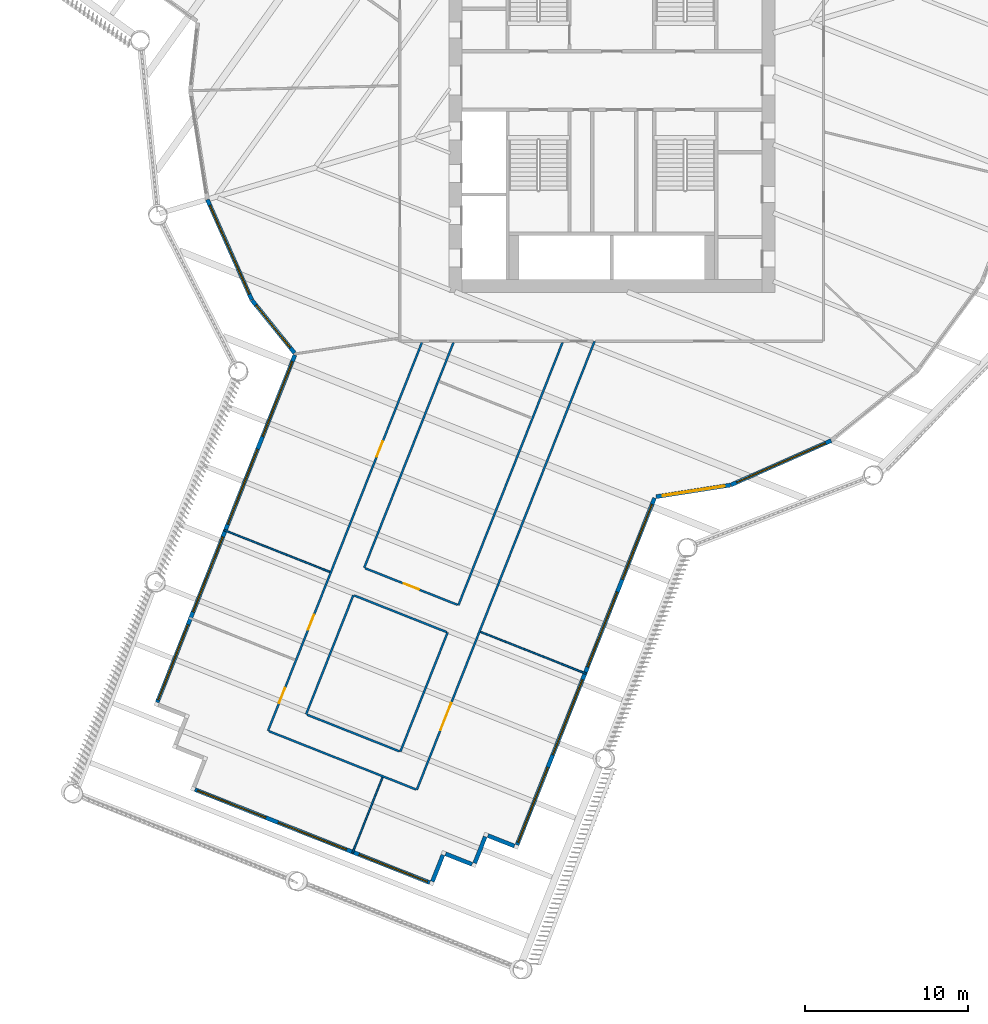
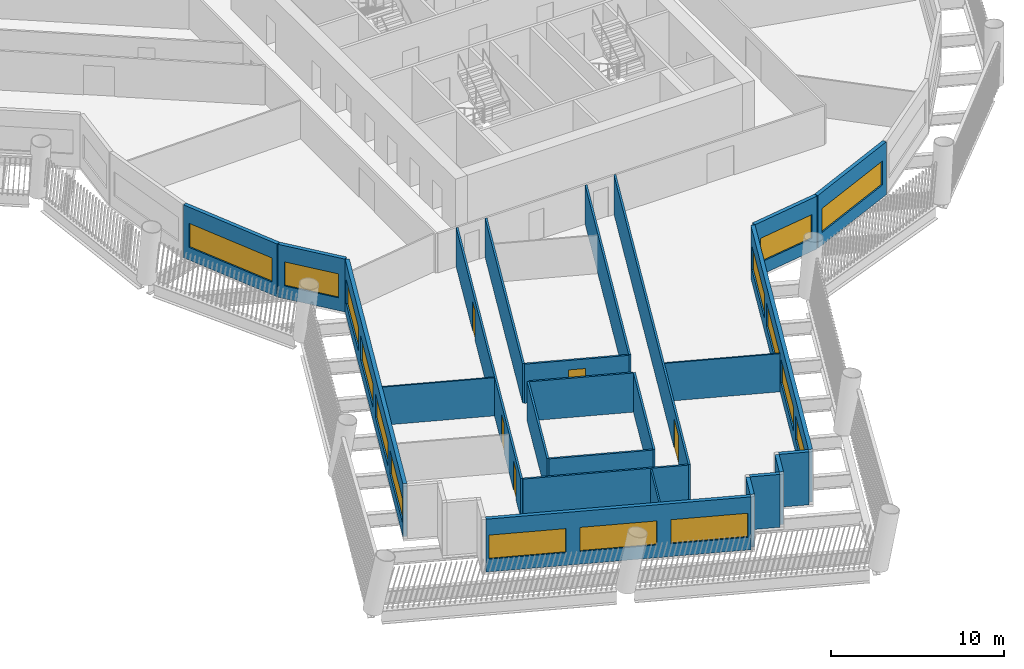
# One storey, part 3 of 17: 24 walls, 15 windows, 5 doors, 20 openings.
"""IFC4 building model written with IfcOpenShell, lengths in metres."""

from ifc_helpers import new_model, si_unit, direction, frame, frame_2d, origin, place, context, subcontext, project, spatial, rectangle, extrude, material, layer, layer_set, type_object, element, fill, save


model = new_model("IFC4")

# Units and contexts
model_context = context("Model", 3, precision=1e-05, world=origin(), true_north=direction((0.0, 1.0)))
body_context = subcontext(model_context, "Body", "Model", "MODEL_VIEW")
ifc_project = project(units=[si_unit("LENGTHUNIT", "METRE"), si_unit("AREAUNIT", "SQUARE_METRE"), si_unit("VOLUMEUNIT", "CUBIC_METRE"), si_unit("PLANEANGLEUNIT", "RADIAN"), si_unit("MASSUNIT", "GRAM", prefix="KILO")], contexts=[model_context])

# Site, building, storey
site_placement = place(None, origin())
site = spatial("IfcSite", under=ifc_project, at=site_placement, CompositionType="ELEMENT")
building_placement = place(site_placement, origin())
building = spatial("IfcBuilding", under=site, at=building_placement, Name="Tarsis Ring Headquarters", CompositionType="ELEMENT")
storey_placement = place(building_placement, frame((0.0, 0.0, 127.89990234375)))
storey = spatial("IfcBuildingStorey", under=building, at=storey_placement, Name="L29", CompositionType="ELEMENT", Elevation=127.89990234375)

# Walls
ifc_material_1 = material(Name="Gypsum board on steel studs", Category="steel")
ifc_layer_1 = layer(ifc_material_1, 0.10009765625)
ifc_layer_set_1 = layer_set([ifc_layer_1], Name="FL partition 100 unrated")
wall_type_1 = type_object("IfcWallType", Name="FL partition 100 unrated", PredefinedType="PARTITIONING", material=ifc_layer_set_1)
for number, where, z_axis, x_axis, name in (
    (1, (-8.052490234375, -33.83349609375, 0.0), (0.0, 0.0, 1.0), (0.929660450215, -0.3684174905, 0.0), "Partition PW3"),
    (2, (-23.78759765625, -27.586181640625, 0.0), (0.0, 0.0, 1.0), (0.929643697641, -0.368459760945, 0.0), "Partition PW3"),
):
    element("IfcWall", number, at=place(storey_placement, frame(where, z_axis=z_axis, x_axis=x_axis)), inside=storey, type_object=wall_type_1, Name=name, PredefinedType="PARTITIONING", context=body_context, shape_type="SweptSolid", body=[
        extrude(rectangle(XDim=6.969970703125, YDim=0.10009765625, at=frame_2d((3.48486328125, 0.0))), origin(), (0.0, 0.0, 1.0), 2.7001953125),
    ])
wall_1_placement = place(storey_placement, frame((-15.921875, -47.419677734375, 0.0), z_axis=(0.0, 0.0, 1.0), x_axis=(0.368456550721, 0.929644969992, 0.0)))
element("IfcWall", 3, at=wall_1_placement, inside=storey, type_object=wall_type_1, Name="Partition PW3", PredefinedType="PARTITIONING", context=body_context, shape_type="SweptSolid", body=[
    extrude(rectangle(XDim=5.010009765625, YDim=0.10009765625, at=frame_2d((2.5048828125, 0.0))), origin(), (0.0, 0.0, 1.0), 2.7001953125),
])

# Wall, opening, door
ifc_layer_2 = layer(ifc_material_1, 0.125)
ifc_layer_set_2 = layer_set([ifc_layer_2], Name="FL partition 125 EI 60 H2770")
wall_type_2 = type_object("IfcWallType", Name="FL partition 125 EI 60 H2770", PredefinedType="PARTITIONING", material=ifc_layer_set_2)
wall_2_placement = place(storey_placement, frame((-11.9677734375, -43.5224609375, 0.0), z_axis=(0.0, 0.0, 1.0), x_axis=(0.368447073084, 0.929648726313, 0.0)))
wall_2 = element("IfcWall", 4, at=wall_2_placement, inside=storey, type_object=wall_type_2, Name="Partition PW1", PredefinedType="PARTITIONING", context=body_context, shape_type="SweptSolid", body=[
    extrude(rectangle(XDim=29.605224609375, YDim=0.125, at=frame_2d((14.802734375, 0.0))), origin(), (0.0, 0.0, 1.0), 2.77001953125),
])
opening_1_placement = place(wall_2_placement, frame((3.93505859375, 0.0, 0.0)))
opening_1 = element("IfcOpeningElement", 5, at=opening_1_placement, cuts=wall_2, Name="Opening D29.10", PredefinedType="OPENING", context=body_context, shape_type="SweptSolid", body=[
    extrude(rectangle(XDim=1.800048828125, YDim=2.10009765625, at=frame_2d((0.89990234375, 1.050048828125))), frame((0.0, 0.072509765625, 0.0), z_axis=(0.0, -1.0, 0.0), x_axis=(1.0, 0.0, 0.0)), (0.0, 0.0, 1.0), 0.14501953125),
])
ifc_material_2 = material(Name="Fire-rated timber door leaf in steel frame", Category="steel")
door_type_1 = type_object("IfcDoorType", Name="FL door FD60-1800", OperationType="DOUBLE_DOOR_SINGLE_SWING", PredefinedType="DOOR", material=ifc_material_2)
door_1_placement = place(opening_1_placement, origin())
door_1 = element("IfcDoor", 6, at=door_1_placement, inside=storey, type_object=door_type_1, Name="Door D29.10", OperationType="DOUBLE_DOOR_SINGLE_SWING", OverallHeight=2.10009765625, OverallWidth=1.800048828125, PredefinedType="DOOR", context=body_context, shape_type="SweptSolid", body=[
    extrude(rectangle(XDim=1.800048828125, YDim=2.10009765625, at=frame_2d((0.89990234375, 1.050048828125))), frame((0.0, 0.02490234375, 0.0), z_axis=(0.0, -1.0, 0.0), x_axis=(1.0, 0.0, 0.0)), (0.0, 0.0, 1.0), 0.050048828125),
])
fill(opening_1, door_1)

# Wall, openings, doors
wall_3_placement = place(storey_placement, frame((-21.096923828125, -39.904296875, 0.0), z_axis=(0.0, 0.0, 1.0), x_axis=(0.368451035529, 0.92964715587, 0.0)))
wall_3 = element("IfcWall", 7, at=wall_3_placement, inside=storey, type_object=wall_type_2, Name="Partition PW1", PredefinedType="PARTITIONING", context=body_context, shape_type="SweptSolid", body=[
    extrude(rectangle(XDim=25.63330078125, YDim=0.125, at=frame_2d((12.816650390625, 0.0))), origin(), (0.0, 0.0, 1.0), 2.77001953125),
])
opening_2_placement = place(wall_3_placement, frame((1.83154296875, 0.0, 0.0)))
opening_2 = element("IfcOpeningElement", 8, at=opening_2_placement, cuts=wall_3, Name="Opening D29.11", PredefinedType="OPENING", context=body_context, shape_type="SweptSolid", body=[
    extrude(rectangle(XDim=1.0, YDim=2.10009765625, at=frame_2d((0.5, 1.050048828125))), frame((0.0, 0.072509765625, 0.0), z_axis=(0.0, -1.0, 0.0), x_axis=(1.0, 0.0, 0.0)), (0.0, 0.0, 1.0), 0.14501953125),
])
opening_3_placement = place(wall_3_placement, frame((6.66650390625, 0.0, 0.0)))
opening_3 = element("IfcOpeningElement", 9, at=opening_3_placement, cuts=wall_3, Name="Opening D29.12", PredefinedType="OPENING", context=body_context, shape_type="SweptSolid", body=[
    extrude(rectangle(XDim=1.0, YDim=2.10009765625, at=frame_2d((0.5, 1.050048828125))), frame((0.0, 0.072509765625, 0.0), z_axis=(0.0, -1.0, 0.0), x_axis=(1.0, 0.0, 0.0)), (0.0, 0.0, 1.0), 0.14501953125),
])
opening_4_placement = place(wall_3_placement, frame((18.091552734375, 0.0, 0.0)))
opening_4 = element("IfcOpeningElement", 10, at=opening_4_placement, cuts=wall_3, Name="Opening D29.13", PredefinedType="OPENING", context=body_context, shape_type="SweptSolid", body=[
    extrude(rectangle(XDim=1.0, YDim=2.10009765625, at=frame_2d((0.5, 1.050048828125))), frame((0.0, 0.072509765625, 0.0), z_axis=(0.0, -1.0, 0.0), x_axis=(1.0, 0.0, 0.0)), (0.0, 0.0, 1.0), 0.14501953125),
])
door_type_2 = type_object("IfcDoorType", Name="FL door FD60-1000", OperationType="NOTDEFINED", PredefinedType="DOOR", material=ifc_material_2)
door_2_placement = place(opening_2_placement, origin())
door_2 = element("IfcDoor", 11, at=door_2_placement, inside=storey, type_object=door_type_2, Name="Door D29.11", OperationType="SINGLE_SWING_RIGHT", OverallHeight=2.10009765625, OverallWidth=1.0, PredefinedType="DOOR", context=body_context, shape_type="SweptSolid", body=[
    extrude(rectangle(XDim=1.0, YDim=2.10009765625, at=frame_2d((0.5, 1.050048828125))), frame((0.0, 0.02490234375, 0.0), z_axis=(0.0, -1.0, 0.0), x_axis=(1.0, 0.0, 0.0)), (0.0, 0.0, 1.0), 0.050048828125),
])
fill(opening_2, door_2)
door_3_placement = place(opening_3_placement, origin())
door_3 = element("IfcDoor", 12, at=door_3_placement, inside=storey, type_object=door_type_2, Name="Door D29.12", OperationType="SINGLE_SWING_LEFT", OverallHeight=2.10009765625, OverallWidth=1.0, PredefinedType="DOOR", context=body_context, shape_type="SweptSolid", body=[
    extrude(rectangle(XDim=1.0, YDim=2.10009765625, at=frame_2d((0.5, 1.050048828125))), frame((0.0, 0.02490234375, 0.0), z_axis=(0.0, -1.0, 0.0), x_axis=(1.0, 0.0, 0.0)), (0.0, 0.0, 1.0), 0.050048828125),
])
fill(opening_3, door_3)
door_4_placement = place(opening_4_placement, origin())
door_4 = element("IfcDoor", 13, at=door_4_placement, inside=storey, type_object=door_type_2, Name="Door D29.13", OperationType="SINGLE_SWING_RIGHT", OverallHeight=2.10009765625, OverallWidth=1.0, PredefinedType="DOOR", context=body_context, shape_type="SweptSolid", body=[
    extrude(rectangle(XDim=1.0, YDim=2.10009765625, at=frame_2d((0.5, 1.050048828125))), frame((0.0, 0.02490234375, 0.0), z_axis=(0.0, -1.0, 0.0), x_axis=(1.0, 0.0, 0.0)), (0.0, 0.0, 1.0), 0.050048828125),
])
fill(opening_4, door_4)

# Walls
wall_4_placement = place(storey_placement, frame((-9.4150390625, -32.196044921875, 0.0), z_axis=(0.0, 0.0, 1.0), x_axis=(0.368456659144, 0.929644927019, 0.0)))
element("IfcWall", 14, at=wall_4_placement, inside=storey, type_object=wall_type_2, Name="Partition PW1", PredefinedType="PARTITIONING", context=body_context, shape_type="SweptSolid", body=[
    extrude(rectangle(XDim=17.341552734375, YDim=0.125, at=frame_2d((8.6708984375, 0.0))), origin(), (0.0, 0.0, 1.0), 2.77001953125),
])
wall_5_placement = place(storey_placement, frame((-15.197509765625, -29.904296875, 0.0), z_axis=(0.0, 0.0, 1.0), x_axis=(0.368463120752, 0.929642365991, 0.0)))
element("IfcWall", 15, at=wall_5_placement, inside=storey, type_object=wall_type_2, Name="Partition PW1", PredefinedType="PARTITIONING", context=body_context, shape_type="SweptSolid", body=[
    extrude(rectangle(XDim=14.87646484375, YDim=0.125, at=frame_2d((7.438232421875, 0.0))), origin(), (0.0, 0.0, 1.0), 2.77001953125),
])
wall_6_placement = place(storey_placement, frame((-21.041015625, -39.92626953125, 0.0), z_axis=(0.0, 0.0, 1.0), x_axis=(0.92964718122, -0.368450971569, 0.0)))
element("IfcWall", 16, at=wall_6_placement, inside=storey, type_object=wall_type_2, Name="Partition PW1", PredefinedType="PARTITIONING", context=body_context, shape_type="SweptSolid", body=[
    extrude(rectangle(XDim=9.699951171875, YDim=0.125, at=frame_2d((4.85009765625, 0.0))), origin(), (0.0, 0.0, 1.0), 2.77001953125),
])
for number, where, z_axis, x_axis, name in (
    (17, (-18.76025390625, -38.89404296875, 0.0), (0.0, 0.0, 1.0), (0.368441767738, 0.92965082896, 0.0), "Partition PW1"),
    (18, (-12.977783203125, -41.185791015625, 0.0), (0.0, 0.0, 1.0), (0.368441767738, 0.92965082896, 0.0), "Partition PW1"),
):
    element("IfcWall", number, at=place(storey_placement, frame(where, z_axis=z_axis, x_axis=x_axis)), inside=storey, type_object=wall_type_2, Name=name, PredefinedType="PARTITIONING", context=body_context, shape_type="SweptSolid", body=[
        extrude(rectangle(XDim=7.8701171875, YDim=0.125, at=frame_2d((3.93505859375, 0.0))), origin(), (0.0, 0.0, 1.0), 2.77001953125),
    ])

# Wall, opening, door
wall_7_placement = place(storey_placement, frame((-15.1416015625, -29.926513671875, 0.0), z_axis=(0.0, 0.0, 1.0), x_axis=(0.929647877504, -0.368449214754, 0.0)))
wall_7 = element("IfcWall", 19, at=wall_7_placement, inside=storey, type_object=wall_type_2, Name="Partition PW1", PredefinedType="PARTITIONING", context=body_context, shape_type="SweptSolid", body=[
    extrude(rectangle(XDim=6.10009765625, YDim=0.125, at=frame_2d((3.050048828125, 0.0))), origin(), (0.0, 0.0, 1.0), 2.77001953125),
])
opening_5_placement = place(wall_7_placement, frame((2.550048828125, 0.0, 0.0)))
opening_5 = element("IfcOpeningElement", 20, at=opening_5_placement, cuts=wall_7, Name="Opening D29.18", PredefinedType="OPENING", context=body_context, shape_type="SweptSolid", body=[
    extrude(rectangle(XDim=1.0, YDim=2.10009765625, at=frame_2d((0.5, 1.050048828125))), frame((0.0, 0.072509765625, 0.0), z_axis=(0.0, -1.0, 0.0), x_axis=(1.0, 0.0, 0.0)), (0.0, 0.0, 1.0), 0.14501953125),
])
door_5_placement = place(opening_5_placement, origin())
door_5 = element("IfcDoor", 21, at=door_5_placement, inside=storey, type_object=door_type_2, Name="Door D29.18", OperationType="SINGLE_SWING_LEFT", OverallHeight=2.10009765625, OverallWidth=1.0, PredefinedType="DOOR", context=body_context, shape_type="SweptSolid", body=[
    extrude(rectangle(XDim=1.0, YDim=2.10009765625, at=frame_2d((0.5, 1.050048828125))), frame((0.0, 0.02490234375, 0.0), z_axis=(0.0, -1.0, 0.0), x_axis=(1.0, 0.0, 0.0)), (0.0, 0.0, 1.0), 0.050048828125),
])
fill(opening_5, door_5)

# Walls
wall_8_placement = place(storey_placement, frame((-15.8046875, -31.599853515625, 0.0), z_axis=(0.0, 0.0, 1.0), x_axis=(0.929642443922, -0.368462924129, 0.0)))
element("IfcWall", 22, at=wall_8_placement, inside=storey, type_object=wall_type_2, Name="Partition PW1", PredefinedType="PARTITIONING", context=body_context, shape_type="SweptSolid", body=[
    extrude(rectangle(XDim=6.099853515625, YDim=0.125, at=frame_2d((3.0498046875, 0.0))), origin(), (0.0, 0.0, 1.0), 2.77001953125),
])
wall_9_placement = place(storey_placement, frame((-18.70458984375, -38.916259765625, 0.0), z_axis=(0.0, 0.0, 1.0), x_axis=(0.929647877504, -0.368449214754, 0.0)))
element("IfcWall", 23, at=wall_9_placement, inside=storey, type_object=wall_type_2, Name="Partition PW1", PredefinedType="PARTITIONING", context=body_context, shape_type="SweptSolid", body=[
    extrude(rectangle(XDim=6.10009765625, YDim=0.125, at=frame_2d((3.050048828125, 0.0))), origin(), (0.0, 0.0, 1.0), 2.77001953125),
])

# Wall, opening, window
ifc_material_3 = material(Name="Terracotta clad insulated panel wall", Category="masonry")
ifc_layer_3 = layer(ifc_material_3, 0.25)
ifc_layer_set_3 = layer_set([ifc_layer_3], Name="Facade wall terracotta panel 250")
wall_type_3 = type_object("IfcWallType", Name="Facade wall terracotta panel 250", PredefinedType="STANDARD", material=ifc_layer_set_3)
wall_10_placement = place(storey_placement, frame((-24.817138671875, -7.311767578125, 0.0), z_axis=(0.0, 0.0, 1.0), x_axis=(0.404820303732, -0.914396260757, 0.0)))
wall_10 = element("IfcWall", 24, at=wall_10_placement, inside=storey, type_object=wall_type_3, Name="External wall L29-04", PredefinedType="STANDARD", context=body_context, shape_type="SweptSolid", body=[
    extrude(rectangle(XDim=6.721435546875, YDim=0.25, at=frame_2d((3.36083984375, 0.0))), origin(), (0.0, 0.0, 1.0), 3.739990234375),
])
opening_6_placement = place(wall_10_placement, frame((0.3857421875, 0.0, 0.89990234375)))
opening_6 = element("IfcOpeningElement", 25, at=opening_6_placement, cuts=wall_10, Name="Opening WN07", PredefinedType="OPENING", context=body_context, shape_type="SweptSolid", body=[
    extrude(rectangle(XDim=5.949951171875, YDim=1.699951171875, at=frame_2d((2.97509765625, 0.85009765625))), frame((0.0, 0.135009765625, 0.0), z_axis=(0.0, -1.0, 0.0), x_axis=(1.0, 0.0, 0.0)), (0.0, 0.0, 1.0), 0.27001953125),
])
ifc_material_4 = material(Name="Aluminium framed double glazing", Category="aluminium")
window_type_1 = type_object("IfcWindowType", Name="Facade window 5950 x 1700", PartitioningType="SINGLE_PANEL", PredefinedType="WINDOW", material=ifc_material_4)
window_1_placement = place(opening_6_placement, origin())
window_1 = element("IfcWindow", 26, at=window_1_placement, inside=storey, type_object=window_type_1, Name="Window L29-04.1", OverallHeight=1.699951171875, OverallWidth=5.949951171875, PartitioningType="SINGLE_PANEL", PredefinedType="WINDOW", context=body_context, shape_type="SweptSolid", body=[
    extrude(rectangle(XDim=5.949951171875, YDim=1.699951171875, at=frame_2d((2.97509765625, 0.85009765625))), frame((0.0, 0.030029296875, 0.0), z_axis=(0.0, -1.0, 0.0), x_axis=(1.0, 0.0, 0.0)), (0.0, 0.0, 1.0), 0.06005859375),
])
fill(opening_6, window_1)

wall_11_placement = place(storey_placement, frame((-22.0791015625, -13.485595703125, 0.0), z_axis=(0.0, 0.0, 1.0), x_axis=(0.627676694949, -0.778474127134, 0.0)))
wall_11 = element("IfcWall", 27, at=wall_11_placement, inside=storey, type_object=wall_type_3, Name="External wall L29-05", PredefinedType="STANDARD", context=body_context, shape_type="SweptSolid", body=[
    extrude(rectangle(XDim=4.157470703125, YDim=0.25, at=frame_2d((2.07861328125, 0.0))), origin(), (0.0, 0.0, 1.0), 3.739990234375),
])
opening_7_placement = place(wall_11_placement, frame((0.38720703125, 0.0, 0.89990234375)))
opening_7 = element("IfcOpeningElement", 28, at=opening_7_placement, cuts=wall_11, Name="Opening WN01", PredefinedType="OPENING", context=body_context, shape_type="SweptSolid", body=[
    extrude(rectangle(XDim=3.35009765625, YDim=1.699951171875, at=frame_2d((1.675048828125, 0.85009765625))), frame((0.0, 0.135009765625, 0.0), z_axis=(0.0, -1.0, 0.0), x_axis=(1.0, 0.0, 0.0)), (0.0, 0.0, 1.0), 0.27001953125),
])
window_type_2 = type_object("IfcWindowType", Name="Facade window 3350 x 1700", PartitioningType="SINGLE_PANEL", PredefinedType="WINDOW", material=ifc_material_4)
window_2_placement = place(opening_7_placement, origin())
window_2 = element("IfcWindow", 29, at=window_2_placement, inside=storey, type_object=window_type_2, Name="Window L29-05.1", OverallHeight=1.699951171875, OverallWidth=3.35009765625, PartitioningType="SINGLE_PANEL", PredefinedType="WINDOW", context=body_context, shape_type="SweptSolid", body=[
    extrude(rectangle(XDim=3.35009765625, YDim=1.699951171875, at=frame_2d((1.675048828125, 0.85009765625))), frame((0.0, 0.030029296875, 0.0), z_axis=(0.0, -1.0, 0.0), x_axis=(1.0, 0.0, 0.0)), (0.0, 0.0, 1.0), 0.06005859375),
])
fill(opening_7, window_2)

# Wall, openings, windows
wall_12_placement = place(storey_placement, frame((-19.450439453125, -16.8466796875, 0.0), z_axis=(0.0, 0.0, 1.0), x_axis=(-0.368448781212, -0.92964804933, 0.0)))
wall_12 = element("IfcWall", 30, at=wall_12_placement, inside=storey, type_object=wall_type_3, Name="External wall L29-06", PredefinedType="STANDARD", context=body_context, shape_type="SweptSolid", body=[
    extrude(rectangle(XDim=22.921875, YDim=0.25, at=frame_2d((11.4609375, 0.0))), origin(), (0.0, 0.0, 1.0), 3.739990234375),
])
opening_8_placement = place(wall_12_placement, frame((0.42138671875, 0.0, 0.89990234375)))
opening_8 = element("IfcOpeningElement", 31, at=opening_8_placement, cuts=wall_12, Name="Opening WN05", PredefinedType="OPENING", context=body_context, shape_type="SweptSolid", body=[
    extrude(rectangle(XDim=4.949951171875, YDim=1.699951171875, at=frame_2d((2.47509765625, 0.85009765625))), frame((0.0, 0.135009765625, 0.0), z_axis=(0.0, -1.0, 0.0), x_axis=(1.0, 0.0, 0.0)), (0.0, 0.0, 1.0), 0.27001953125),
])
opening_9_placement = place(wall_12_placement, frame((6.214599609375, 0.0, 0.89990234375)))
opening_9 = element("IfcOpeningElement", 32, at=opening_9_placement, cuts=wall_12, Name="Opening WN05", PredefinedType="OPENING", context=body_context, shape_type="SweptSolid", body=[
    extrude(rectangle(XDim=4.949951171875, YDim=1.699951171875, at=frame_2d((2.47509765625, 0.85009765625))), frame((0.0, 0.135009765625, 0.0), z_axis=(0.0, -1.0, 0.0), x_axis=(1.0, 0.0, 0.0)), (0.0, 0.0, 1.0), 0.27001953125),
])
opening_10_placement = place(wall_12_placement, frame((12.007568359375, 0.0, 0.89990234375)))
opening_10 = element("IfcOpeningElement", 33, at=opening_10_placement, cuts=wall_12, Name="Opening WN05", PredefinedType="OPENING", context=body_context, shape_type="SweptSolid", body=[
    extrude(rectangle(XDim=4.949951171875, YDim=1.699951171875, at=frame_2d((2.47509765625, 0.85009765625))), frame((0.0, 0.135009765625, 0.0), z_axis=(0.0, -1.0, 0.0), x_axis=(1.0, 0.0, 0.0)), (0.0, 0.0, 1.0), 0.27001953125),
])
opening_11_placement = place(wall_12_placement, frame((17.800537109375, 0.0, 0.89990234375)))
opening_11 = element("IfcOpeningElement", 34, at=opening_11_placement, cuts=wall_12, Name="Opening WN05", PredefinedType="OPENING", context=body_context, shape_type="SweptSolid", body=[
    extrude(rectangle(XDim=4.949951171875, YDim=1.699951171875, at=frame_2d((2.47509765625, 0.85009765625))), frame((0.0, 0.135009765625, 0.0), z_axis=(0.0, -1.0, 0.0), x_axis=(1.0, 0.0, 0.0)), (0.0, 0.0, 1.0), 0.27001953125),
])
window_type_3 = type_object("IfcWindowType", Name="Facade window 4950 x 1700", PartitioningType="SINGLE_PANEL", PredefinedType="WINDOW", material=ifc_material_4)
window_3_placement = place(opening_8_placement, origin())
window_3 = element("IfcWindow", 35, at=window_3_placement, inside=storey, type_object=window_type_3, Name="Window L29-06.1", OverallHeight=1.699951171875, OverallWidth=4.949951171875, PartitioningType="SINGLE_PANEL", PredefinedType="WINDOW", context=body_context, shape_type="SweptSolid", body=[
    extrude(rectangle(XDim=4.949951171875, YDim=1.699951171875, at=frame_2d((2.47509765625, 0.85009765625))), frame((0.0, 0.030029296875, 0.0), z_axis=(0.0, -1.0, 0.0), x_axis=(1.0, 0.0, 0.0)), (0.0, 0.0, 1.0), 0.06005859375),
])
fill(opening_8, window_3)
window_4_placement = place(opening_9_placement, origin())
window_4 = element("IfcWindow", 36, at=window_4_placement, inside=storey, type_object=window_type_3, Name="Window L29-06.2", OverallHeight=1.699951171875, OverallWidth=4.949951171875, PartitioningType="SINGLE_PANEL", PredefinedType="WINDOW", context=body_context, shape_type="SweptSolid", body=[
    extrude(rectangle(XDim=4.949951171875, YDim=1.699951171875, at=frame_2d((2.47509765625, 0.85009765625))), frame((0.0, 0.030029296875, 0.0), z_axis=(0.0, -1.0, 0.0), x_axis=(1.0, 0.0, 0.0)), (0.0, 0.0, 1.0), 0.06005859375),
])
fill(opening_9, window_4)
window_5_placement = place(opening_10_placement, origin())
window_5 = element("IfcWindow", 37, at=window_5_placement, inside=storey, type_object=window_type_3, Name="Window L29-06.3", OverallHeight=1.699951171875, OverallWidth=4.949951171875, PartitioningType="SINGLE_PANEL", PredefinedType="WINDOW", context=body_context, shape_type="SweptSolid", body=[
    extrude(rectangle(XDim=4.949951171875, YDim=1.699951171875, at=frame_2d((2.47509765625, 0.85009765625))), frame((0.0, 0.030029296875, 0.0), z_axis=(0.0, -1.0, 0.0), x_axis=(1.0, 0.0, 0.0)), (0.0, 0.0, 1.0), 0.06005859375),
])
fill(opening_10, window_5)
window_6_placement = place(opening_11_placement, origin())
window_6 = element("IfcWindow", 38, at=window_6_placement, inside=storey, type_object=window_type_3, Name="Window L29-06.4", OverallHeight=1.699951171875, OverallWidth=4.949951171875, PartitioningType="SINGLE_PANEL", PredefinedType="WINDOW", context=body_context, shape_type="SweptSolid", body=[
    extrude(rectangle(XDim=4.949951171875, YDim=1.699951171875, at=frame_2d((2.47509765625, 0.85009765625))), frame((0.0, 0.030029296875, 0.0), z_axis=(0.0, -1.0, 0.0), x_axis=(1.0, 0.0, 0.0)), (0.0, 0.0, 1.0), 0.06005859375),
])
fill(opening_11, window_6)

wall_13_placement = place(storey_placement, frame((-25.5810546875, -43.5107421875, 0.0), z_axis=(0.0, 0.0, 1.0), x_axis=(0.929647401346, -0.368450416162, 0.0)))
wall_13 = element("IfcWall", 39, at=wall_13_placement, inside=storey, type_object=wall_type_3, Name="External wall L29-11", PredefinedType="STANDARD", context=body_context, shape_type="SweptSolid", body=[
    extrude(rectangle(XDim=15.5, YDim=0.25, at=frame_2d((7.75, 0.0))), origin(), (0.0, 0.0, 1.0), 3.739990234375),
])
opening_12_placement = place(wall_13_placement, frame((0.166748046875, 0.0, 0.89990234375)))
opening_12 = element("IfcOpeningElement", 40, at=opening_12_placement, cuts=wall_13, Name="Opening WN04", PredefinedType="OPENING", context=body_context, shape_type="SweptSolid", body=[
    extrude(rectangle(XDim=4.5, YDim=1.699951171875, at=frame_2d((2.25, 0.85009765625))), frame((0.0, 0.135009765625, 0.0), z_axis=(0.0, -1.0, 0.0), x_axis=(1.0, 0.0, 0.0)), (0.0, 0.0, 1.0), 0.27001953125),
])
opening_13_placement = place(wall_13_placement, frame((5.5, 0.0, 0.89990234375)))
opening_13 = element("IfcOpeningElement", 41, at=opening_13_placement, cuts=wall_13, Name="Opening WN04", PredefinedType="OPENING", context=body_context, shape_type="SweptSolid", body=[
    extrude(rectangle(XDim=4.5, YDim=1.699951171875, at=frame_2d((2.25, 0.85009765625))), frame((0.0, 0.135009765625, 0.0), z_axis=(0.0, -1.0, 0.0), x_axis=(1.0, 0.0, 0.0)), (0.0, 0.0, 1.0), 0.27001953125),
])
opening_14_placement = place(wall_13_placement, frame((10.833251953125, 0.0, 0.89990234375)))
opening_14 = element("IfcOpeningElement", 42, at=opening_14_placement, cuts=wall_13, Name="Opening WN04", PredefinedType="OPENING", context=body_context, shape_type="SweptSolid", body=[
    extrude(rectangle(XDim=4.5, YDim=1.699951171875, at=frame_2d((2.25, 0.85009765625))), frame((0.0, 0.135009765625, 0.0), z_axis=(0.0, -1.0, 0.0), x_axis=(1.0, 0.0, 0.0)), (0.0, 0.0, 1.0), 0.27001953125),
])
window_type_4 = type_object("IfcWindowType", Name="Facade window 4500 x 1700", PartitioningType="SINGLE_PANEL", PredefinedType="WINDOW", material=ifc_material_4)
window_7_placement = place(opening_12_placement, origin())
window_7 = element("IfcWindow", 43, at=window_7_placement, inside=storey, type_object=window_type_4, Name="Window L29-11.1", OverallHeight=1.699951171875, OverallWidth=4.5, PartitioningType="SINGLE_PANEL", PredefinedType="WINDOW", context=body_context, shape_type="SweptSolid", body=[
    extrude(rectangle(XDim=4.5, YDim=1.699951171875, at=frame_2d((2.25, 0.85009765625))), frame((0.0, 0.030029296875, 0.0), z_axis=(0.0, -1.0, 0.0), x_axis=(1.0, 0.0, 0.0)), (0.0, 0.0, 1.0), 0.06005859375),
])
fill(opening_12, window_7)
window_8_placement = place(opening_13_placement, origin())
window_8 = element("IfcWindow", 44, at=window_8_placement, inside=storey, type_object=window_type_4, Name="Window L29-11.2", OverallHeight=1.699951171875, OverallWidth=4.5, PartitioningType="SINGLE_PANEL", PredefinedType="WINDOW", context=body_context, shape_type="SweptSolid", body=[
    extrude(rectangle(XDim=4.5, YDim=1.699951171875, at=frame_2d((2.25, 0.85009765625))), frame((0.0, 0.030029296875, 0.0), z_axis=(0.0, -1.0, 0.0), x_axis=(1.0, 0.0, 0.0)), (0.0, 0.0, 1.0), 0.06005859375),
])
fill(opening_13, window_8)
window_9_placement = place(opening_14_placement, origin())
window_9 = element("IfcWindow", 45, at=window_9_placement, inside=storey, type_object=window_type_4, Name="Window L29-11.3", OverallHeight=1.699951171875, OverallWidth=4.5, PartitioningType="SINGLE_PANEL", PredefinedType="WINDOW", context=body_context, shape_type="SweptSolid", body=[
    extrude(rectangle(XDim=4.5, YDim=1.699951171875, at=frame_2d((2.25, 0.85009765625))), frame((0.0, 0.030029296875, 0.0), z_axis=(0.0, -1.0, 0.0), x_axis=(1.0, 0.0, 0.0)), (0.0, 0.0, 1.0), 0.06005859375),
])
fill(opening_14, window_9)

# Walls
for number, where, z_axis, x_axis, name in (
    (46, (-11.00927734375, -49.151611328125, 0.0), (0.0, 0.0, 1.0), (0.368430341892, 0.929655357201, 0.0), "External wall L29-12"),
    (47, (-10.202392578125, -47.45458984375, 0.0), (0.0, 0.0, 1.0), (0.929655357201, -0.368430341892, 0.0), "External wall L29-13"),
):
    element("IfcWall", number, at=place(storey_placement, frame(where, z_axis=z_axis, x_axis=x_axis)), inside=storey, type_object=wall_type_3, Name=name, PredefinedType="STANDARD", context=body_context, shape_type="SweptSolid", body=[
        extrude(rectangle(XDim=1.75, YDim=0.25, at=frame_2d((0.875, 0.0))), origin(), (0.0, 0.0, 1.0), 3.739990234375),
    ])
wall_14_placement = place(storey_placement, frame((-8.4130859375, -48.029052734375, 0.0), z_axis=(0.0, 0.0, 1.0), x_axis=(0.368478129606, 0.929636417102, 0.0)))
element("IfcWall", 48, at=wall_14_placement, inside=storey, type_object=wall_type_3, Name="External wall L29-14", PredefinedType="STANDARD", context=body_context, shape_type="SweptSolid", body=[
    extrude(rectangle(XDim=1.749755859375, YDim=0.25, at=frame_2d((0.875, 0.0))), origin(), (0.0, 0.0, 1.0), 3.739990234375),
])
wall_15_placement = place(storey_placement, frame((-7.606201171875, -46.33203125, 0.0), z_axis=(0.0, 0.0, 1.0), x_axis=(0.929655357201, -0.368430341892, 0.0)))
element("IfcWall", 49, at=wall_15_placement, inside=storey, type_object=wall_type_3, Name="External wall L29-15", PredefinedType="STANDARD", context=body_context, shape_type="SweptSolid", body=[
    extrude(rectangle(XDim=1.75, YDim=0.25, at=frame_2d((0.875, 0.0))), origin(), (0.0, 0.0, 1.0), 3.739990234375),
])

# Wall, openings, windows
wall_16_placement = place(storey_placement, frame((-5.81689453125, -46.90673828125, 0.0), z_axis=(0.0, 0.0, 1.0), x_axis=(0.368451639073, 0.929646916665, 0.0)))
wall_16 = element("IfcWall", 50, at=wall_16_placement, inside=storey, type_object=wall_type_3, Name="External wall L29-16", PredefinedType="STANDARD", context=body_context, shape_type="SweptSolid", body=[
    extrude(rectangle(XDim=22.901123046875, YDim=0.25, at=frame_2d((11.45068359375, 0.0))), origin(), (0.0, 0.0, 1.0), 3.739990234375),
])
opening_15_placement = place(wall_16_placement, frame((0.1689453125, 0.0, 0.89990234375)))
opening_15 = element("IfcOpeningElement", 51, at=opening_15_placement, cuts=wall_16, Name="Opening WN05", PredefinedType="OPENING", context=body_context, shape_type="SweptSolid", body=[
    extrude(rectangle(XDim=4.949951171875, YDim=1.699951171875, at=frame_2d((2.47509765625, 0.85009765625))), frame((0.0, 0.135009765625, 0.0), z_axis=(0.0, -1.0, 0.0), x_axis=(1.0, 0.0, 0.0)), (0.0, 0.0, 1.0), 0.27001953125),
])
opening_16_placement = place(wall_16_placement, frame((5.956787109375, 0.0, 0.89990234375)))
opening_16 = element("IfcOpeningElement", 52, at=opening_16_placement, cuts=wall_16, Name="Opening WN05", PredefinedType="OPENING", context=body_context, shape_type="SweptSolid", body=[
    extrude(rectangle(XDim=4.949951171875, YDim=1.699951171875, at=frame_2d((2.47509765625, 0.85009765625))), frame((0.0, 0.135009765625, 0.0), z_axis=(0.0, -1.0, 0.0), x_axis=(1.0, 0.0, 0.0)), (0.0, 0.0, 1.0), 0.27001953125),
])
opening_17_placement = place(wall_16_placement, frame((11.74462890625, 0.0, 0.89990234375)))
opening_17 = element("IfcOpeningElement", 53, at=opening_17_placement, cuts=wall_16, Name="Opening WN05", PredefinedType="OPENING", context=body_context, shape_type="SweptSolid", body=[
    extrude(rectangle(XDim=4.949951171875, YDim=1.699951171875, at=frame_2d((2.47509765625, 0.85009765625))), frame((0.0, 0.135009765625, 0.0), z_axis=(0.0, -1.0, 0.0), x_axis=(1.0, 0.0, 0.0)), (0.0, 0.0, 1.0), 0.27001953125),
])
opening_18_placement = place(wall_16_placement, frame((17.532470703125, 0.0, 0.89990234375)))
opening_18 = element("IfcOpeningElement", 54, at=opening_18_placement, cuts=wall_16, Name="Opening WN05", PredefinedType="OPENING", context=body_context, shape_type="SweptSolid", body=[
    extrude(rectangle(XDim=4.949951171875, YDim=1.699951171875, at=frame_2d((2.47509765625, 0.85009765625))), frame((0.0, 0.135009765625, 0.0), z_axis=(0.0, -1.0, 0.0), x_axis=(1.0, 0.0, 0.0)), (0.0, 0.0, 1.0), 0.27001953125),
])
window_10_placement = place(opening_15_placement, origin())
window_10 = element("IfcWindow", 55, at=window_10_placement, inside=storey, type_object=window_type_3, Name="Window L29-16.1", OverallHeight=1.699951171875, OverallWidth=4.949951171875, PartitioningType="SINGLE_PANEL", PredefinedType="WINDOW", context=body_context, shape_type="SweptSolid", body=[
    extrude(rectangle(XDim=4.949951171875, YDim=1.699951171875, at=frame_2d((2.47509765625, 0.85009765625))), frame((0.0, 0.030029296875, 0.0), z_axis=(0.0, -1.0, 0.0), x_axis=(1.0, 0.0, 0.0)), (0.0, 0.0, 1.0), 0.06005859375),
])
fill(opening_15, window_10)
window_11_placement = place(opening_16_placement, origin())
window_11 = element("IfcWindow", 56, at=window_11_placement, inside=storey, type_object=window_type_3, Name="Window L29-16.2", OverallHeight=1.699951171875, OverallWidth=4.949951171875, PartitioningType="SINGLE_PANEL", PredefinedType="WINDOW", context=body_context, shape_type="SweptSolid", body=[
    extrude(rectangle(XDim=4.949951171875, YDim=1.699951171875, at=frame_2d((2.47509765625, 0.85009765625))), frame((0.0, 0.030029296875, 0.0), z_axis=(0.0, -1.0, 0.0), x_axis=(1.0, 0.0, 0.0)), (0.0, 0.0, 1.0), 0.06005859375),
])
fill(opening_16, window_11)
window_12_placement = place(opening_17_placement, origin())
window_12 = element("IfcWindow", 57, at=window_12_placement, inside=storey, type_object=window_type_3, Name="Window L29-16.3", OverallHeight=1.699951171875, OverallWidth=4.949951171875, PartitioningType="SINGLE_PANEL", PredefinedType="WINDOW", context=body_context, shape_type="SweptSolid", body=[
    extrude(rectangle(XDim=4.949951171875, YDim=1.699951171875, at=frame_2d((2.47509765625, 0.85009765625))), frame((0.0, 0.030029296875, 0.0), z_axis=(0.0, -1.0, 0.0), x_axis=(1.0, 0.0, 0.0)), (0.0, 0.0, 1.0), 0.06005859375),
])
fill(opening_17, window_12)
window_13_placement = place(opening_18_placement, origin())
window_13 = element("IfcWindow", 58, at=window_13_placement, inside=storey, type_object=window_type_3, Name="Window L29-16.4", OverallHeight=1.699951171875, OverallWidth=4.949951171875, PartitioningType="SINGLE_PANEL", PredefinedType="WINDOW", context=body_context, shape_type="SweptSolid", body=[
    extrude(rectangle(XDim=4.949951171875, YDim=1.699951171875, at=frame_2d((2.47509765625, 0.85009765625))), frame((0.0, 0.030029296875, 0.0), z_axis=(0.0, -1.0, 0.0), x_axis=(1.0, 0.0, 0.0)), (0.0, 0.0, 1.0), 0.06005859375),
])
fill(opening_18, window_13)

# Wall, opening, window
wall_17_placement = place(storey_placement, frame((2.718017578125, -25.5390625, 0.0), z_axis=(0.0, 0.0, 1.0), x_axis=(0.988018837099, 0.154333332557, 0.0)))
wall_17 = element("IfcWall", 59, at=wall_17_placement, inside=storey, type_object=wall_type_3, Name="External wall L29-17", PredefinedType="STANDARD", context=body_context, shape_type="SweptSolid", body=[
    extrude(rectangle(XDim=4.61767578125, YDim=0.25, at=frame_2d((2.308837890625, 0.0))), origin(), (0.0, 0.0, 1.0), 3.739990234375),
])
opening_19_placement = place(wall_17_placement, frame((0.400390625, 0.0, 0.89990234375)))
opening_19 = element("IfcOpeningElement", 60, at=opening_19_placement, cuts=wall_17, Name="Opening WN02", PredefinedType="OPENING", context=body_context, shape_type="SweptSolid", body=[
    extrude(rectangle(XDim=3.85009765625, YDim=1.699951171875, at=frame_2d((1.925048828125, 0.85009765625))), frame((0.0, 0.135009765625, 0.0), z_axis=(0.0, -1.0, 0.0), x_axis=(1.0, 0.0, 0.0)), (0.0, 0.0, 1.0), 0.27001953125),
])
window_type_5 = type_object("IfcWindowType", Name="Facade window 3850 x 1700", PartitioningType="SINGLE_PANEL", PredefinedType="WINDOW", material=ifc_material_4)
window_14_placement = place(opening_19_placement, origin())
window_14 = element("IfcWindow", 61, at=window_14_placement, inside=storey, type_object=window_type_5, Name="Window L29-17.1", OverallHeight=1.699951171875, OverallWidth=3.85009765625, PartitioningType="SINGLE_PANEL", PredefinedType="WINDOW", context=body_context, shape_type="SweptSolid", body=[
    extrude(rectangle(XDim=3.85009765625, YDim=1.699951171875, at=frame_2d((1.925048828125, 0.85009765625))), frame((0.0, 0.030029296875, 0.0), z_axis=(0.0, -1.0, 0.0), x_axis=(1.0, 0.0, 0.0)), (0.0, 0.0, 1.0), 0.06005859375),
])
fill(opening_19, window_14)

wall_18_placement = place(storey_placement, frame((7.311767578125, -24.817138671875, 0.0), z_axis=(0.0, 0.0, 1.0), x_axis=(0.914396260757, 0.404820303732, 0.0)))
wall_18 = element("IfcWall", 62, at=wall_18_placement, inside=storey, type_object=wall_type_3, Name="External wall L29-18", PredefinedType="STANDARD", context=body_context, shape_type="SweptSolid", body=[
    extrude(rectangle(XDim=6.721435546875, YDim=0.25, at=frame_2d((3.36083984375, 0.0))), origin(), (0.0, 0.0, 1.0), 3.739990234375),
])
opening_20_placement = place(wall_18_placement, frame((0.3857421875, 0.0, 0.89990234375)))
opening_20 = element("IfcOpeningElement", 63, at=opening_20_placement, cuts=wall_18, Name="Opening WN07", PredefinedType="OPENING", context=body_context, shape_type="SweptSolid", body=[
    extrude(rectangle(XDim=5.949951171875, YDim=1.699951171875, at=frame_2d((2.97509765625, 0.85009765625))), frame((0.0, 0.135009765625, 0.0), z_axis=(0.0, -1.0, 0.0), x_axis=(1.0, 0.0, 0.0)), (0.0, 0.0, 1.0), 0.27001953125),
])
window_15_placement = place(opening_20_placement, origin())
window_15 = element("IfcWindow", 64, at=window_15_placement, inside=storey, type_object=window_type_1, Name="Window L29-18.1", OverallHeight=1.699951171875, OverallWidth=5.949951171875, PartitioningType="SINGLE_PANEL", PredefinedType="WINDOW", context=body_context, shape_type="SweptSolid", body=[
    extrude(rectangle(XDim=5.949951171875, YDim=1.699951171875, at=frame_2d((2.97509765625, 0.85009765625))), frame((0.0, 0.030029296875, 0.0), z_axis=(0.0, -1.0, 0.0), x_axis=(1.0, 0.0, 0.0)), (0.0, 0.0, 1.0), 0.06005859375),
])
fill(opening_20, window_15)

save(model, "model.ifc")
